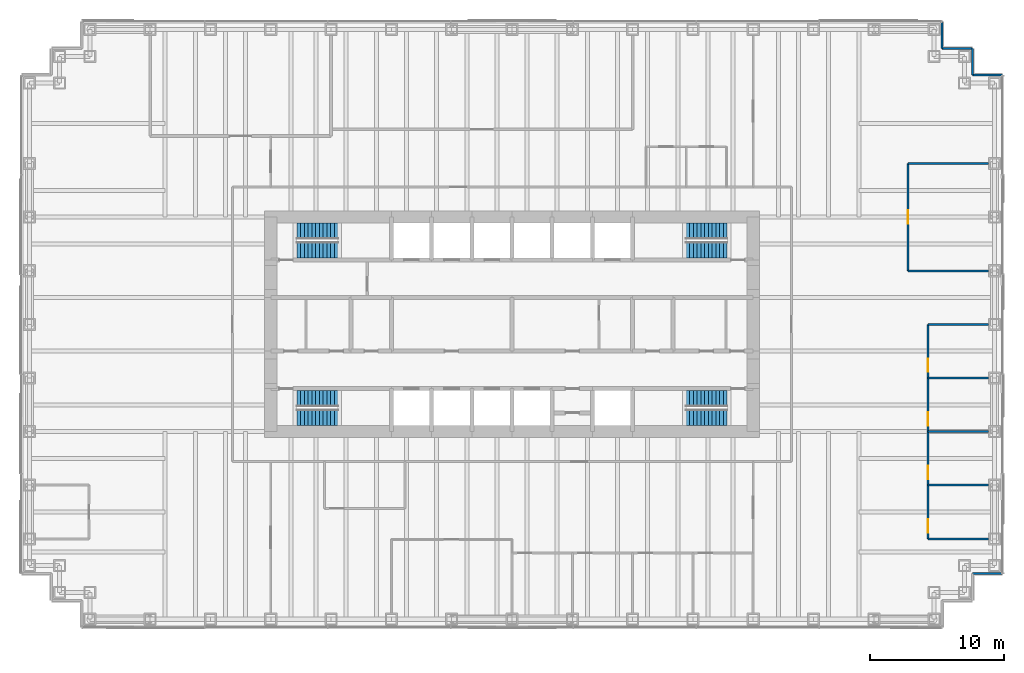
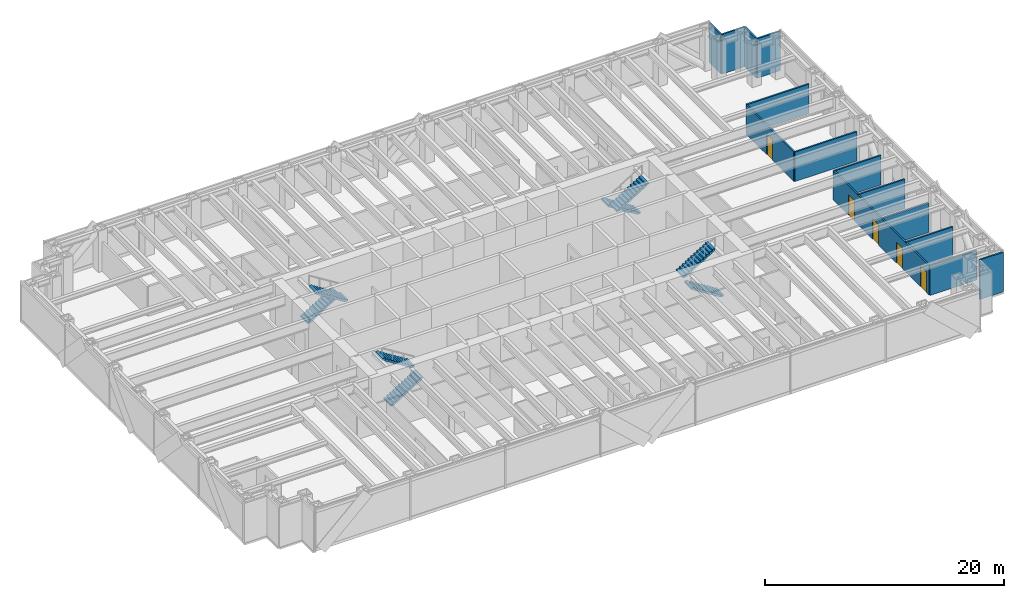
# One storey, part 14 of 15: 14 walls, 8 stair flights, 5 doors, 5 openings, 4 elements without a shape of their own.
"""IFC4 building model written with IfcOpenShell, lengths in metres."""

from ifc_helpers import new_model, si_unit, direction, frame, frame_2d, origin, place, context, subcontext, project, spatial, polyline, rectangle, outline, extrude, material, layer, layer_set, type_object, element, fill, aggregate, save


model = new_model("IFC4")

# Units and contexts
model_context = context("Model", 3, precision=1e-05, world=origin(), true_north=direction((0.0, 1.0)))
body_context = subcontext(model_context, "Body", "Model", "MODEL_VIEW")
ifc_project = project(units=[si_unit("LENGTHUNIT", "METRE"), si_unit("AREAUNIT", "SQUARE_METRE"), si_unit("VOLUMEUNIT", "CUBIC_METRE"), si_unit("PLANEANGLEUNIT", "RADIAN"), si_unit("MASSUNIT", "GRAM", prefix="KILO")], contexts=[model_context])

# Site, building, storey
site_placement = place(None, origin())
site = spatial("IfcSite", under=ifc_project, at=site_placement, CompositionType="ELEMENT")
building_placement = place(site_placement, origin())
building = spatial("IfcBuilding", under=site, at=building_placement, Name="Rheinbord Bourse Tower", CompositionType="ELEMENT")
storey_placement = place(building_placement, frame((0.0, 0.0, 125.699951171875)))
storey = spatial("IfcBuildingStorey", under=building, at=storey_placement, Name="L27", CompositionType="ELEMENT", Elevation=125.699951171875)

# Walls
ifc_material_1 = material(Name="Black metal rainscreen panel", Category="aluminium")
ifc_layer_1 = layer(ifc_material_1, 0.14990234375)
ifc_layer_set_1 = layer_set([ifc_layer_1], Name="CORNER PIER CLADDING 150")
wall_type_1 = type_object("IfcWallType", Name="CORNER PIER CLADDING 150", PredefinedType="ELEMENTEDWALL", material=ifc_layer_set_1)
for number, where, z_axis, x_axis, name in (
    (1, (70.35009765625, 5.39990234375, 0.0), (0.0, 0.0, 1.0), (1.0, 0.0, 0.0), "Corner pier cladding L27 5"),
    (2, (72.60009765625, 42.60009765625, 0.0), (0.0, 0.0, 1.0), (-1.0, 0.0, 0.0), "Corner pier cladding L27 7"),
):
    element("IfcWall", number, at=place(storey_placement, frame(where, z_axis=z_axis, x_axis=x_axis)), inside=storey, type_object=wall_type_1, Name=name, PredefinedType="ELEMENTEDWALL", context=body_context, shape_type="SweptSolid", body=[
        extrude(rectangle(XDim=2.25, YDim=0.14990234375, at=frame_2d((1.125, 0.0))), origin(), (0.0, 0.0, 1.0), 4.0400390625),
    ])
wall_1_placement = place(storey_placement, frame((70.35009765625, 42.60009765625, 0.0), z_axis=(0.0, 0.0, 1.0), x_axis=(0.0, 1.0, 0.0)))
element("IfcWall", 3, at=wall_1_placement, inside=storey, type_object=wall_type_1, Name="Corner pier cladding L27 8", PredefinedType="ELEMENTEDWALL", context=body_context, shape_type="SweptSolid", body=[
    extrude(rectangle(XDim=2.0, YDim=0.14990234375, at=frame_2d((1.0, 0.0))), origin(), (0.0, 0.0, 1.0), 4.0400390625),
])
wall_2_placement = place(storey_placement, frame((70.35009765625, 44.60009765625, 0.0), z_axis=(0.0, 0.0, 1.0), x_axis=(-1.0, 0.0, 0.0)))
element("IfcWall", 4, at=wall_2_placement, inside=storey, type_object=wall_type_1, Name="Corner pier cladding L27 9", PredefinedType="ELEMENTEDWALL", context=body_context, shape_type="SweptSolid", body=[
    extrude(rectangle(XDim=2.25, YDim=0.14990234375, at=frame_2d((1.125, 0.0))), origin(), (0.0, 0.0, 1.0), 4.0400390625),
])
wall_3_placement = place(storey_placement, frame((68.10009765625, 44.60009765625, 0.0), z_axis=(0.0, 0.0, 1.0), x_axis=(0.0, 1.0, 0.0)))
element("IfcWall", 5, at=wall_3_placement, inside=storey, type_object=wall_type_1, Name="Corner pier cladding L27 10", PredefinedType="ELEMENTEDWALL", context=body_context, shape_type="SweptSolid", body=[
    extrude(rectangle(XDim=2.0, YDim=0.14990234375, at=frame_2d((1.0, 0.0))), origin(), (0.0, 0.0, 1.0), 4.0400390625),
])
ifc_material_2 = material(Name="Gypsum board partition", Category="gypsum board")
ifc_layer_2 = layer(ifc_material_2, 0.14990234375)
ifc_layer_set_2 = layer_set([ifc_layer_2], Name="PARTITION 150")
wall_type_2 = type_object("IfcWallType", Name="PARTITION 150", PredefinedType="PARTITIONING", material=ifc_layer_set_2)
for number, where, z_axis, x_axis, name in (
    (6, (67.050048828125, 8.0, 0.0), (0.0, 0.0, 1.0), (1.0, 0.0, 0.0), "Partition L27-04"),
    (7, (67.050048828125, 12.0, 0.0), (0.0, 0.0, 1.0), (1.0, 0.0, 0.0), "Partition L27-07"),
    (8, (67.050048828125, 16.0, 0.0), (0.0, 0.0, 1.0), (1.0, 0.0, 0.0), "Partition L27-11"),
    (9, (67.050048828125, 20.0, 0.0), (0.0, 0.0, 1.0), (1.0, 0.0, 0.0), "Partition L27-12"),
    (10, (67.050048828125, 24.0, 0.0), (0.0, 0.0, 1.0), (1.0, 0.0, 0.0), "Partition L27-13"),
):
    element("IfcWall", number, at=place(storey_placement, frame(where, z_axis=z_axis, x_axis=x_axis)), inside=storey, type_object=wall_type_2, Name=name, PredefinedType="PARTITIONING", context=body_context, shape_type="SweptSolid", body=[
        extrude(rectangle(XDim=4.5, YDim=0.14990234375, at=frame_2d((2.25, 0.0))), origin(), (0.0, 0.0, 1.0), 3.0),
    ])
for number, where, z_axis, x_axis, name in (
    (11, (65.550048828125, 28.0, 0.0), (0.0, 0.0, 1.0), (1.0, 0.0, 0.0), "Partition L27-14"),
    (12, (65.550048828125, 36.0, 0.0), (0.0, 0.0, 1.0), (1.0, 0.0, 0.0), "Partition L27-16"),
):
    element("IfcWall", number, at=place(storey_placement, frame(where, z_axis=z_axis, x_axis=x_axis)), inside=storey, type_object=wall_type_2, Name=name, PredefinedType="PARTITIONING", context=body_context, shape_type="SweptSolid", body=[
        extrude(rectangle(XDim=6.0, YDim=0.14990234375, at=frame_2d((3.0, 0.0))), origin(), (0.0, 0.0, 1.0), 3.0),
    ])

# Wall, opening, door
wall_4_placement = place(storey_placement, frame((65.550048828125, 28.0, 0.0), z_axis=(0.0, 0.0, 1.0), x_axis=(0.0, 1.0, 0.0)))
wall_4 = element("IfcWall", 13, at=wall_4_placement, inside=storey, type_object=wall_type_2, Name="Partition L27-42", PredefinedType="PARTITIONING", context=body_context, shape_type="SweptSolid", body=[
    extrude(rectangle(XDim=8.0, YDim=0.14990234375, at=frame_2d((4.0, 0.0))), origin(), (0.0, 0.0, 1.0), 3.0),
])
opening_1_placement = place(wall_4_placement, frame((3.5, 0.0, 0.0)))
opening_1 = element("IfcOpeningElement", 14, at=opening_1_placement, cuts=wall_4, Name="Opening 27D12", PredefinedType="OPENING", context=body_context, shape_type="SweptSolid", body=[
    extrude(rectangle(XDim=1.0, YDim=2.10009765625, at=frame_2d((0.5, 1.050048828125))), frame((0.0, 0.0849609375, 0.0), z_axis=(0.0, -1.0, 0.0), x_axis=(1.0, 0.0, 0.0)), (0.0, 0.0, 1.0), 0.169921875),
])
ifc_material_3 = material(Name="Timber door", Category="wood")
door_type = type_object("IfcDoorType", Name="ROOM DOOR 1000", OperationType="SINGLE_SWING_LEFT", PredefinedType="DOOR", material=ifc_material_3)
door_1_placement = place(opening_1_placement, origin())
door_1 = element("IfcDoor", 15, at=door_1_placement, inside=storey, type_object=door_type, Name="Pantry door L27", OperationType="SINGLE_SWING_LEFT", OverallHeight=2.10009765625, OverallWidth=1.0, PredefinedType="DOOR", context=body_context, shape_type="SweptSolid", body=[
    extrude(rectangle(XDim=1.0, YDim=2.10009765625, at=frame_2d((0.5, 1.050048828125))), frame((0.0, 0.02490234375, 0.0), z_axis=(0.0, -1.0, 0.0), x_axis=(1.0, 0.0, 0.0)), (0.0, 0.0, 1.0), 0.050048828125),
])
fill(opening_1, door_1)

# Wall, openings, doors
wall_5_placement = place(storey_placement, frame((67.050048828125, 8.0, 0.0), z_axis=(0.0, 0.0, 1.0), x_axis=(0.0, 1.0, 0.0)))
wall_5 = element("IfcWall", 16, at=wall_5_placement, inside=storey, type_object=wall_type_2, Name="Partition L27-43", PredefinedType="PARTITIONING", context=body_context, shape_type="SweptSolid", body=[
    extrude(rectangle(XDim=16.0, YDim=0.14990234375, at=frame_2d((8.0, 0.0))), origin(), (0.0, 0.0, 1.0), 3.0),
])
opening_2_placement = place(wall_5_placement, frame((0.449951171875, 0.0, 0.0)))
opening_2 = element("IfcOpeningElement", 17, at=opening_2_placement, cuts=wall_5, Name="Opening 27D07", PredefinedType="OPENING", context=body_context, shape_type="SweptSolid", body=[
    extrude(rectangle(XDim=1.0, YDim=2.10009765625, at=frame_2d((0.5, 1.050048828125))), frame((0.0, 0.0849609375, 0.0), z_axis=(0.0, -1.0, 0.0), x_axis=(1.0, 0.0, 0.0)), (0.0, 0.0, 1.0), 0.169921875),
])
opening_3_placement = place(wall_5_placement, frame((4.449951171875, 0.0, 0.0)))
opening_3 = element("IfcOpeningElement", 18, at=opening_3_placement, cuts=wall_5, Name="Opening 27D09", PredefinedType="OPENING", context=body_context, shape_type="SweptSolid", body=[
    extrude(rectangle(XDim=1.0, YDim=2.10009765625, at=frame_2d((0.5, 1.050048828125))), frame((0.0, 0.0849609375, 0.0), z_axis=(0.0, -1.0, 0.0), x_axis=(1.0, 0.0, 0.0)), (0.0, 0.0, 1.0), 0.169921875),
])
opening_4_placement = place(wall_5_placement, frame((8.449951171875, 0.0, 0.0)))
opening_4 = element("IfcOpeningElement", 19, at=opening_4_placement, cuts=wall_5, Name="Opening 27D10", PredefinedType="OPENING", context=body_context, shape_type="SweptSolid", body=[
    extrude(rectangle(XDim=1.0, YDim=2.10009765625, at=frame_2d((0.5, 1.050048828125))), frame((0.0, 0.0849609375, 0.0), z_axis=(0.0, -1.0, 0.0), x_axis=(1.0, 0.0, 0.0)), (0.0, 0.0, 1.0), 0.169921875),
])
opening_5_placement = place(wall_5_placement, frame((12.449951171875, 0.0, 0.0)))
opening_5 = element("IfcOpeningElement", 20, at=opening_5_placement, cuts=wall_5, Name="Opening 27D11", PredefinedType="OPENING", context=body_context, shape_type="SweptSolid", body=[
    extrude(rectangle(XDim=1.0, YDim=2.10009765625, at=frame_2d((0.5, 1.050048828125))), frame((0.0, 0.0849609375, 0.0), z_axis=(0.0, -1.0, 0.0), x_axis=(1.0, 0.0, 0.0)), (0.0, 0.0, 1.0), 0.169921875),
])
door_2_placement = place(opening_2_placement, origin())
door_2 = element("IfcDoor", 21, at=door_2_placement, inside=storey, type_object=door_type, Name="Office door L27", OperationType="SINGLE_SWING_LEFT", OverallHeight=2.10009765625, OverallWidth=1.0, PredefinedType="DOOR", context=body_context, shape_type="SweptSolid", body=[
    extrude(rectangle(XDim=1.0, YDim=2.10009765625, at=frame_2d((0.5, 1.050048828125))), frame((0.0, 0.02490234375, 0.0), z_axis=(0.0, -1.0, 0.0), x_axis=(1.0, 0.0, 0.0)), (0.0, 0.0, 1.0), 0.050048828125),
])
fill(opening_2, door_2)
door_3_placement = place(opening_3_placement, origin())
door_3 = element("IfcDoor", 22, at=door_3_placement, inside=storey, type_object=door_type, Name="Office door L27", OperationType="SINGLE_SWING_LEFT", OverallHeight=2.10009765625, OverallWidth=1.0, PredefinedType="DOOR", context=body_context, shape_type="SweptSolid", body=[
    extrude(rectangle(XDim=1.0, YDim=2.10009765625, at=frame_2d((0.5, 1.050048828125))), frame((0.0, 0.02490234375, 0.0), z_axis=(0.0, -1.0, 0.0), x_axis=(1.0, 0.0, 0.0)), (0.0, 0.0, 1.0), 0.050048828125),
])
fill(opening_3, door_3)
door_4_placement = place(opening_4_placement, origin())
door_4 = element("IfcDoor", 23, at=door_4_placement, inside=storey, type_object=door_type, Name="Office door L27", OperationType="SINGLE_SWING_RIGHT", OverallHeight=2.10009765625, OverallWidth=1.0, PredefinedType="DOOR", context=body_context, shape_type="SweptSolid", body=[
    extrude(rectangle(XDim=1.0, YDim=2.10009765625, at=frame_2d((0.5, 1.050048828125))), frame((0.0, 0.02490234375, 0.0), z_axis=(0.0, -1.0, 0.0), x_axis=(1.0, 0.0, 0.0)), (0.0, 0.0, 1.0), 0.050048828125),
])
fill(opening_4, door_4)
door_5_placement = place(opening_5_placement, origin())
door_5 = element("IfcDoor", 24, at=door_5_placement, inside=storey, type_object=door_type, Name="Office door L27", OperationType="SINGLE_SWING_RIGHT", OverallHeight=2.10009765625, OverallWidth=1.0, PredefinedType="DOOR", context=body_context, shape_type="SweptSolid", body=[
    extrude(rectangle(XDim=1.0, YDim=2.10009765625, at=frame_2d((0.5, 1.050048828125))), frame((0.0, 0.02490234375, 0.0), z_axis=(0.0, -1.0, 0.0), x_axis=(1.0, 0.0, 0.0)), (0.0, 0.0, 1.0), 0.050048828125),
])
fill(opening_5, door_5)

# Stair, stair flights
ifc_material_4 = material(Name="Concrete C30/37", Category="concrete")
stair_type = type_object("IfcStairType", Name="CORE STAIR HALF TURN 4200", PredefinedType="HALF_TURN_STAIR", material=ifc_material_4)
stair_1_placement = place(storey_placement, origin())
stair_1 = element("IfcStair", 25, at=stair_1_placement, inside=storey, type_object=stair_type, Name="Stair ST1 L27, type CS6", PredefinedType="HALF_TURN_STAIR")
ifc_material_5 = material(Name="Concrete C30/37", Category="concrete")
stair_flight_type = type_object("IfcStairFlightType", Name="CORE STAIR FLIGHT 1200, 12 RISERS", PredefinedType="STRAIGHT", material=ifc_material_5)
stair_flight_1_placement = place(storey_placement, frame((19.949951171875, 17.050048828125, 0.0), z_axis=(0.0, 0.0, 1.0), x_axis=(1.0, 0.0, 0.0)))
stair_flight_1 = element("IfcStairFlight", 26, at=stair_flight_1_placement, type_object=stair_flight_type, Name="STAIR L27 ST1 F1", NumberOfRisers=12, NumberOfTreads=11, PredefinedType="STRAIGHT", RiserHeight=0.175, TreadLength=0.28, context=body_context, shape_type="SweptSolid", body=[
    extrude(outline(polyline([(0.0, 0.0), (0.0, 0.175048828125), (0.280029296875, 0.175048828125), (0.280029296875, 0.35009765625), (0.56005859375, 0.35009765625), (0.56005859375, 0.52490234375), (0.840087890625, 0.52490234375), (0.840087890625, 0.699951171875), (1.1201171875, 0.699951171875), (1.1201171875, 0.875), (1.39990234375, 0.875), (1.39990234375, 1.050048828125), (1.679931640625, 1.050048828125), (1.679931640625, 1.22509765625), (1.9599609375, 1.22509765625), (1.9599609375, 1.39990234375), (2.239990234375, 1.39990234375), (2.239990234375, 1.574951171875), (2.52001953125, 1.574951171875), (2.52001953125, 1.75), (2.800048828125, 1.75), (2.800048828125, 1.925048828125), (3.080078125, 1.925048828125), (3.080078125, 2.10009765625), (3.080078125, 1.748291015625), (0.28271484375, 0.0), (0.0, 0.0)])), frame((0.0, 0.60009765625, 0.0), z_axis=(0.0, -1.0, 0.0), x_axis=(1.0, 0.0, 0.0)), (0.0, 0.0, 1.0), 1.199951171875),
])
stair_flight_2_placement = place(storey_placement, frame((23.030029296875, 18.449951171875, 2.10009765625), z_axis=(0.0, 0.0, 1.0), x_axis=(-1.0, 0.0, 0.0)))
stair_flight_2 = element("IfcStairFlight", 27, at=stair_flight_2_placement, type_object=stair_flight_type, Name="STAIR L27 ST1 F2", NumberOfRisers=12, NumberOfTreads=11, PredefinedType="STRAIGHT", RiserHeight=0.175, TreadLength=0.28, context=body_context, shape_type="SweptSolid", body=[
    extrude(outline(polyline([(0.0, 0.0), (0.0, 0.175048828125), (0.280029296875, 0.175048828125), (0.280029296875, 0.35009765625), (0.56005859375, 0.35009765625), (0.56005859375, 0.52490234375), (0.840087890625, 0.52490234375), (0.840087890625, 0.699951171875), (1.1201171875, 0.699951171875), (1.1201171875, 0.875), (1.39990234375, 0.875), (1.39990234375, 1.050048828125), (1.679931640625, 1.050048828125), (1.679931640625, 1.22509765625), (1.9599609375, 1.22509765625), (1.9599609375, 1.39990234375), (2.239990234375, 1.39990234375), (2.239990234375, 1.574951171875), (2.52001953125, 1.574951171875), (2.52001953125, 1.75), (2.800048828125, 1.75), (2.800048828125, 1.925048828125), (3.080078125, 1.925048828125), (3.080078125, 2.10009765625), (3.080078125, 1.748291015625), (0.28271484375, 0.0), (0.0, 0.0)])), frame((0.0, 0.60009765625, 0.0), z_axis=(0.0, -1.0, 0.0), x_axis=(1.0, 0.0, 0.0)), (0.0, 0.0, 1.0), 1.199951171875),
])
aggregate(stair_1, [stair_flight_1, stair_flight_2])

stair_2_placement = place(storey_placement, origin())
stair_2 = element("IfcStair", 28, at=stair_2_placement, inside=storey, type_object=stair_type, Name="Stair ST2 L27, type CS6", PredefinedType="HALF_TURN_STAIR")
stair_flight_3_placement = place(storey_placement, frame((19.949951171875, 30.949951171875, 0.0), z_axis=(0.0, 0.0, 1.0), x_axis=(1.0, 0.0, 0.0)))
stair_flight_3 = element("IfcStairFlight", 29, at=stair_flight_3_placement, type_object=stair_flight_type, Name="STAIR L27 ST2 F1", NumberOfRisers=12, NumberOfTreads=11, PredefinedType="STRAIGHT", RiserHeight=0.175, TreadLength=0.28, context=body_context, shape_type="SweptSolid", body=[
    extrude(outline(polyline([(0.0, 0.0), (0.0, 0.175048828125), (0.280029296875, 0.175048828125), (0.280029296875, 0.35009765625), (0.56005859375, 0.35009765625), (0.56005859375, 0.52490234375), (0.840087890625, 0.52490234375), (0.840087890625, 0.699951171875), (1.1201171875, 0.699951171875), (1.1201171875, 0.875), (1.39990234375, 0.875), (1.39990234375, 1.050048828125), (1.679931640625, 1.050048828125), (1.679931640625, 1.22509765625), (1.9599609375, 1.22509765625), (1.9599609375, 1.39990234375), (2.239990234375, 1.39990234375), (2.239990234375, 1.574951171875), (2.52001953125, 1.574951171875), (2.52001953125, 1.75), (2.800048828125, 1.75), (2.800048828125, 1.925048828125), (3.080078125, 1.925048828125), (3.080078125, 2.10009765625), (3.080078125, 1.748291015625), (0.28271484375, 0.0), (0.0, 0.0)])), frame((0.0, 0.60009765625, 0.0), z_axis=(0.0, -1.0, 0.0), x_axis=(1.0, 0.0, 0.0)), (0.0, 0.0, 1.0), 1.199951171875),
])
stair_flight_4_placement = place(storey_placement, frame((23.030029296875, 29.550048828125, 2.10009765625), z_axis=(0.0, 0.0, 1.0), x_axis=(-1.0, 0.0, 0.0)))
stair_flight_4 = element("IfcStairFlight", 30, at=stair_flight_4_placement, type_object=stair_flight_type, Name="STAIR L27 ST2 F2", NumberOfRisers=12, NumberOfTreads=11, PredefinedType="STRAIGHT", RiserHeight=0.175, TreadLength=0.28, context=body_context, shape_type="SweptSolid", body=[
    extrude(outline(polyline([(0.0, 0.0), (0.0, 0.175048828125), (0.280029296875, 0.175048828125), (0.280029296875, 0.35009765625), (0.56005859375, 0.35009765625), (0.56005859375, 0.52490234375), (0.840087890625, 0.52490234375), (0.840087890625, 0.699951171875), (1.1201171875, 0.699951171875), (1.1201171875, 0.875), (1.39990234375, 0.875), (1.39990234375, 1.050048828125), (1.679931640625, 1.050048828125), (1.679931640625, 1.22509765625), (1.9599609375, 1.22509765625), (1.9599609375, 1.39990234375), (2.239990234375, 1.39990234375), (2.239990234375, 1.574951171875), (2.52001953125, 1.574951171875), (2.52001953125, 1.75), (2.800048828125, 1.75), (2.800048828125, 1.925048828125), (3.080078125, 1.925048828125), (3.080078125, 2.10009765625), (3.080078125, 1.748291015625), (0.28271484375, 0.0), (0.0, 0.0)])), frame((0.0, 0.60009765625, 0.0), z_axis=(0.0, -1.0, 0.0), x_axis=(1.0, 0.0, 0.0)), (0.0, 0.0, 1.0), 1.199951171875),
])
aggregate(stair_2, [stair_flight_3, stair_flight_4])

stair_3_placement = place(storey_placement, origin())
stair_3 = element("IfcStair", 31, at=stair_3_placement, inside=storey, type_object=stair_type, Name="Stair ST3 L27, type CS6", PredefinedType="HALF_TURN_STAIR")
stair_flight_5_placement = place(storey_placement, frame((52.050048828125, 17.050048828125, 0.0), z_axis=(0.0, 0.0, 1.0), x_axis=(-1.0, 0.0, 0.0)))
stair_flight_5 = element("IfcStairFlight", 32, at=stair_flight_5_placement, type_object=stair_flight_type, Name="STAIR L27 ST3 F1", NumberOfRisers=12, NumberOfTreads=11, PredefinedType="STRAIGHT", RiserHeight=0.175, TreadLength=0.28, context=body_context, shape_type="SweptSolid", body=[
    extrude(outline(polyline([(0.0, 0.0), (0.0, 0.175048828125), (0.280029296875, 0.175048828125), (0.280029296875, 0.35009765625), (0.56005859375, 0.35009765625), (0.56005859375, 0.52490234375), (0.840087890625, 0.52490234375), (0.840087890625, 0.699951171875), (1.1201171875, 0.699951171875), (1.1201171875, 0.875), (1.39990234375, 0.875), (1.39990234375, 1.050048828125), (1.679931640625, 1.050048828125), (1.679931640625, 1.22509765625), (1.9599609375, 1.22509765625), (1.9599609375, 1.39990234375), (2.239990234375, 1.39990234375), (2.239990234375, 1.574951171875), (2.52001953125, 1.574951171875), (2.52001953125, 1.75), (2.800048828125, 1.75), (2.800048828125, 1.925048828125), (3.080078125, 1.925048828125), (3.080078125, 2.10009765625), (3.080078125, 1.748291015625), (0.28271484375, 0.0), (0.0, 0.0)])), frame((0.0, 0.60009765625, 0.0), z_axis=(0.0, -1.0, 0.0), x_axis=(1.0, 0.0, 0.0)), (0.0, 0.0, 1.0), 1.199951171875),
])
stair_flight_6_placement = place(storey_placement, frame((48.969970703125, 18.449951171875, 2.10009765625), z_axis=(0.0, 0.0, 1.0), x_axis=(1.0, 0.0, 0.0)))
stair_flight_6 = element("IfcStairFlight", 33, at=stair_flight_6_placement, type_object=stair_flight_type, Name="STAIR L27 ST3 F2", NumberOfRisers=12, NumberOfTreads=11, PredefinedType="STRAIGHT", RiserHeight=0.175, TreadLength=0.28, context=body_context, shape_type="SweptSolid", body=[
    extrude(outline(polyline([(0.0, 0.0), (0.0, 0.175048828125), (0.280029296875, 0.175048828125), (0.280029296875, 0.35009765625), (0.56005859375, 0.35009765625), (0.56005859375, 0.52490234375), (0.840087890625, 0.52490234375), (0.840087890625, 0.699951171875), (1.1201171875, 0.699951171875), (1.1201171875, 0.875), (1.39990234375, 0.875), (1.39990234375, 1.050048828125), (1.679931640625, 1.050048828125), (1.679931640625, 1.22509765625), (1.9599609375, 1.22509765625), (1.9599609375, 1.39990234375), (2.239990234375, 1.39990234375), (2.239990234375, 1.574951171875), (2.52001953125, 1.574951171875), (2.52001953125, 1.75), (2.800048828125, 1.75), (2.800048828125, 1.925048828125), (3.080078125, 1.925048828125), (3.080078125, 2.10009765625), (3.080078125, 1.748291015625), (0.28271484375, 0.0), (0.0, 0.0)])), frame((0.0, 0.60009765625, 0.0), z_axis=(0.0, -1.0, 0.0), x_axis=(1.0, 0.0, 0.0)), (0.0, 0.0, 1.0), 1.199951171875),
])
aggregate(stair_3, [stair_flight_5, stair_flight_6])

stair_4_placement = place(storey_placement, origin())
stair_4 = element("IfcStair", 34, at=stair_4_placement, inside=storey, type_object=stair_type, Name="Stair ST4 L27, type CS6", PredefinedType="HALF_TURN_STAIR")
stair_flight_7_placement = place(storey_placement, frame((52.050048828125, 30.949951171875, 0.0), z_axis=(0.0, 0.0, 1.0), x_axis=(-1.0, 0.0, 0.0)))
stair_flight_7 = element("IfcStairFlight", 35, at=stair_flight_7_placement, type_object=stair_flight_type, Name="STAIR L27 ST4 F1", NumberOfRisers=12, NumberOfTreads=11, PredefinedType="STRAIGHT", RiserHeight=0.175, TreadLength=0.28, context=body_context, shape_type="SweptSolid", body=[
    extrude(outline(polyline([(0.0, 0.0), (0.0, 0.175048828125), (0.280029296875, 0.175048828125), (0.280029296875, 0.35009765625), (0.56005859375, 0.35009765625), (0.56005859375, 0.52490234375), (0.840087890625, 0.52490234375), (0.840087890625, 0.699951171875), (1.1201171875, 0.699951171875), (1.1201171875, 0.875), (1.39990234375, 0.875), (1.39990234375, 1.050048828125), (1.679931640625, 1.050048828125), (1.679931640625, 1.22509765625), (1.9599609375, 1.22509765625), (1.9599609375, 1.39990234375), (2.239990234375, 1.39990234375), (2.239990234375, 1.574951171875), (2.52001953125, 1.574951171875), (2.52001953125, 1.75), (2.800048828125, 1.75), (2.800048828125, 1.925048828125), (3.080078125, 1.925048828125), (3.080078125, 2.10009765625), (3.080078125, 1.748291015625), (0.28271484375, 0.0), (0.0, 0.0)])), frame((0.0, 0.60009765625, 0.0), z_axis=(0.0, -1.0, 0.0), x_axis=(1.0, 0.0, 0.0)), (0.0, 0.0, 1.0), 1.199951171875),
])
stair_flight_8_placement = place(storey_placement, frame((48.969970703125, 29.550048828125, 2.10009765625), z_axis=(0.0, 0.0, 1.0), x_axis=(1.0, 0.0, 0.0)))
stair_flight_8 = element("IfcStairFlight", 36, at=stair_flight_8_placement, type_object=stair_flight_type, Name="STAIR L27 ST4 F2", NumberOfRisers=12, NumberOfTreads=11, PredefinedType="STRAIGHT", RiserHeight=0.175, TreadLength=0.28, context=body_context, shape_type="SweptSolid", body=[
    extrude(outline(polyline([(0.0, 0.0), (0.0, 0.175048828125), (0.280029296875, 0.175048828125), (0.280029296875, 0.35009765625), (0.56005859375, 0.35009765625), (0.56005859375, 0.52490234375), (0.840087890625, 0.52490234375), (0.840087890625, 0.699951171875), (1.1201171875, 0.699951171875), (1.1201171875, 0.875), (1.39990234375, 0.875), (1.39990234375, 1.050048828125), (1.679931640625, 1.050048828125), (1.679931640625, 1.22509765625), (1.9599609375, 1.22509765625), (1.9599609375, 1.39990234375), (2.239990234375, 1.39990234375), (2.239990234375, 1.574951171875), (2.52001953125, 1.574951171875), (2.52001953125, 1.75), (2.800048828125, 1.75), (2.800048828125, 1.925048828125), (3.080078125, 1.925048828125), (3.080078125, 2.10009765625), (3.080078125, 1.748291015625), (0.28271484375, 0.0), (0.0, 0.0)])), frame((0.0, 0.60009765625, 0.0), z_axis=(0.0, -1.0, 0.0), x_axis=(1.0, 0.0, 0.0)), (0.0, 0.0, 1.0), 1.199951171875),
])
aggregate(stair_4, [stair_flight_7, stair_flight_8])

save(model, "model.ifc")
